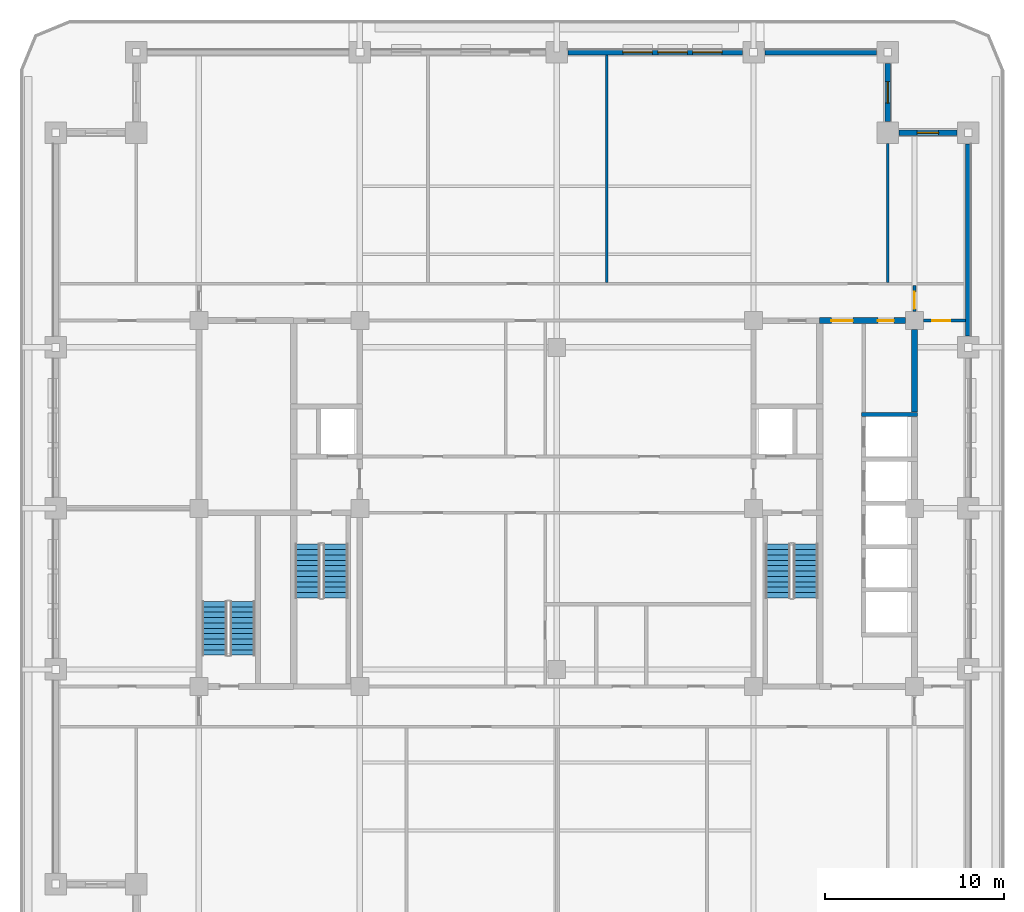
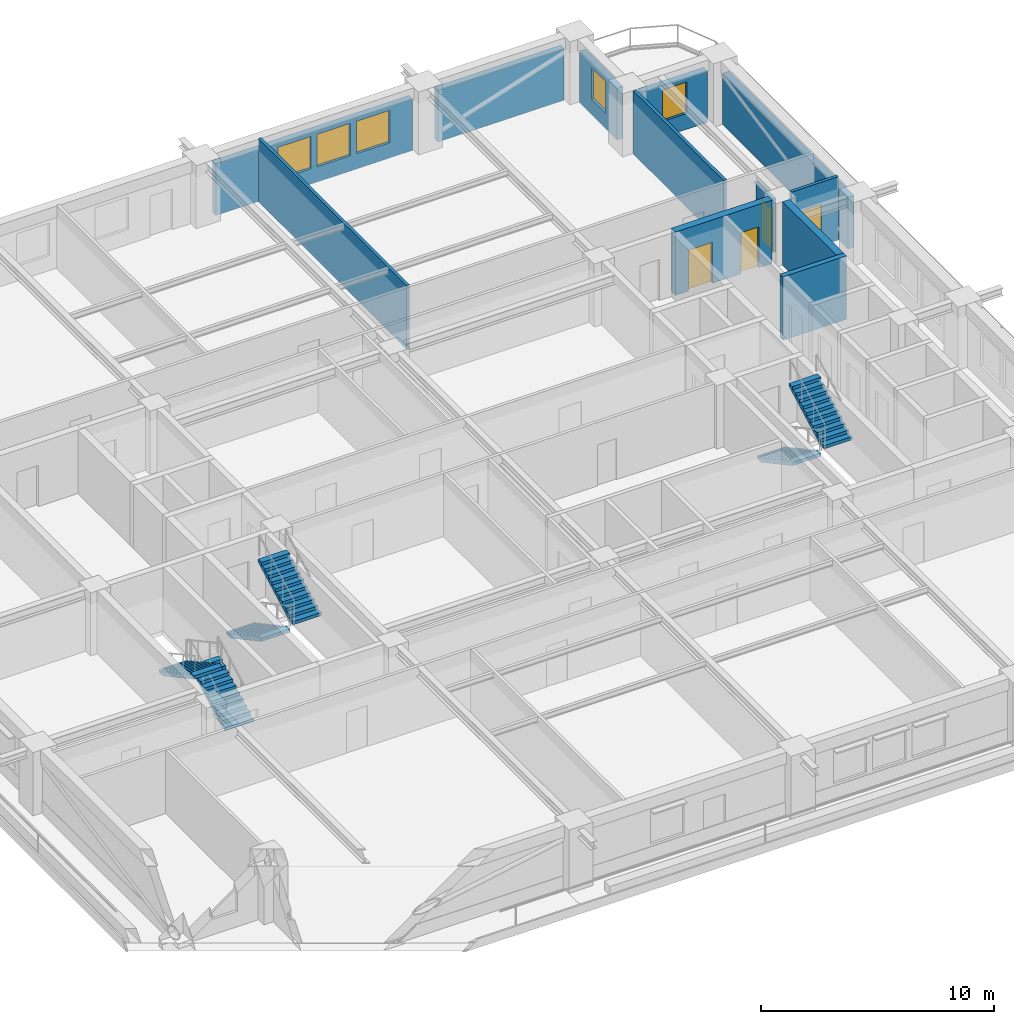
# One storey, part 6 of 14: 12 walls, 6 stair flights, 5 windows, 4 doors, 9 openings, 3 elements without a shape of their own.
"""IFC4 building model written with IfcOpenShell, lengths in metres."""

from ifc_helpers import new_model, si_unit, direction, frame, frame_2d, origin, place, context, subcontext, project, spatial, polyline, rectangle, outline, extrude, material, layer, layer_set, type_object, element, fill, aggregate, save


model = new_model("IFC4")

# Units and contexts
model_context = context("Model", 3, precision=1e-05, world=origin(), true_north=direction((0.0, 1.0)))
body_context = subcontext(model_context, "Body", "Model", "MODEL_VIEW")
ifc_project = project(units=[si_unit("LENGTHUNIT", "METRE"), si_unit("AREAUNIT", "SQUARE_METRE"), si_unit("VOLUMEUNIT", "CUBIC_METRE"), si_unit("PLANEANGLEUNIT", "RADIAN"), si_unit("MASSUNIT", "GRAM", prefix="KILO")], contexts=[model_context])

# Site, building, storey
site_placement = place(None, origin())
site = spatial("IfcSite", under=ifc_project, at=site_placement, CompositionType="ELEMENT")
building_placement = place(site_placement, origin())
building = spatial("IfcBuilding", under=site, at=building_placement, Name="Zulmaris Gate Convention Tower", CompositionType="ELEMENT")
storey_placement = place(building_placement, frame((0.0, 0.0, 135.6298828125)))
storey = spatial("IfcBuildingStorey", under=building, at=storey_placement, Name="L34", CompositionType="ELEMENT", Elevation=135.6298828125)

# Wall
ifc_material_1 = material(Name="Concrete C50/60", Category="concrete")
ifc_layer_1 = layer(ifc_material_1, 0.25, Name="Concrete C50/60")
ifc_layer_set_1 = layer_set([ifc_layer_1], Name="Concrete C50/60")
wall_type_1 = type_object("IfcWallType", Name="CORE-250", PredefinedType="SOLIDWALL", material=ifc_layer_set_1)
wall_1_placement = place(storey_placement, frame((17.02490234375, 5.25, 0.0), z_axis=(0.0, 0.0, 1.0), x_axis=(1.0, 0.0, 0.0)))
element("IfcWall", 1, at=wall_1_placement, inside=storey, type_object=wall_type_1, Name="WL-L34-014", PredefinedType="SOLIDWALL", context=body_context, shape_type="SweptSolid", body=[
    extrude(rectangle(XDim=3.150146484375, YDim=0.25, at=frame_2d((1.5751953125, 0.0))), origin(), (0.0, 0.0, 1.0), 3.320068359375),
])

# Wall, openings, doors
ifc_material_2 = material(Name="Concrete C55/67", Category="concrete")
ifc_layer_2 = layer(ifc_material_2, 0.35009765625, Name="Concrete C55/67")
ifc_layer_set_2 = layer_set([ifc_layer_2], Name="Concrete C55/67")
wall_type_2 = type_object("IfcWallType", Name="CORE-350", PredefinedType="SHEAR", material=ifc_layer_set_2)
wall_2_placement = place(storey_placement, frame((14.699951171875, 10.5, 0.0), z_axis=(0.0, 0.0, 1.0), x_axis=(1.0, 0.0, 0.0)))
wall_2 = element("IfcWall", 2, at=wall_2_placement, inside=storey, type_object=wall_type_2, Name="WL-L34-020", PredefinedType="SHEAR", context=body_context, shape_type="SweptSolid", body=[
    extrude(rectangle(XDim=4.796142578125, YDim=0.35009765625, at=frame_2d((2.39794921875, 0.0))), origin(), (0.0, 0.0, 1.0), 3.320068359375),
])
opening_1_placement = place(wall_2_placement, frame((0.64990234375, 0.0, 0.0)))
opening_1 = element("IfcOpeningElement", 3, at=opening_1_placement, cuts=wall_2, Name="Opening D-13", PredefinedType="OPENING", context=body_context, shape_type="SweptSolid", body=[
    extrude(rectangle(XDim=1.199951171875, YDim=2.14990234375, at=frame_2d((0.60009765625, 1.074951171875))), frame((0.0, 0.18505859375, 0.0), z_axis=(0.0, -1.0, 0.0), x_axis=(1.0, 0.0, 0.0)), (0.0, 0.0, 1.0), 0.3701171875),
])
opening_2_placement = place(wall_2_placement, frame((3.25, 0.0, 0.0)))
opening_2 = element("IfcOpeningElement", 4, at=opening_2_placement, cuts=wall_2, Name="Opening D-12", PredefinedType="OPENING", context=body_context, shape_type="SweptSolid", body=[
    extrude(rectangle(XDim=0.89990234375, YDim=2.14990234375, at=frame_2d((0.449951171875, 1.074951171875))), frame((0.0, 0.18505859375, 0.0), z_axis=(0.0, -1.0, 0.0), x_axis=(1.0, 0.0, 0.0)), (0.0, 0.0, 1.0), 0.3701171875),
])
ifc_material_3 = material(Name="Fire-Rated Steel", Category="steel")
door_type_1 = type_object("IfcDoorType", Name="DR-1200-FD", OperationType="NOTDEFINED", PredefinedType="DOOR", material=ifc_material_3)
door_1_placement = place(opening_1_placement, origin())
door_1 = element("IfcDoor", 5, at=door_1_placement, inside=storey, type_object=door_type_1, Name="L34 East Lift Lobby North Door 16", OperationType="SINGLE_SWING_LEFT", OverallHeight=2.14990234375, OverallWidth=1.199951171875, PredefinedType="DOOR", context=body_context, shape_type="SweptSolid", body=[
    extrude(rectangle(XDim=1.199951171875, YDim=2.14990234375, at=frame_2d((0.60009765625, 1.074951171875))), frame((0.0, 0.02490234375, 0.0), z_axis=(0.0, -1.0, 0.0), x_axis=(1.0, 0.0, 0.0)), (0.0, 0.0, 1.0), 0.050048828125),
])
fill(opening_1, door_1)
ifc_material_4 = material(Name="Fire-Rated Timber", Category="wood")
door_type_2 = type_object("IfcDoorType", Name="DR-900-FD", OperationType="NOTDEFINED", PredefinedType="DOOR", material=ifc_material_4)
door_2_placement = place(opening_2_placement, origin())
door_2 = element("IfcDoor", 6, at=door_2_placement, inside=storey, type_object=door_type_2, Name="L34 Mid-Rise Archive Door 17", OperationType="SINGLE_SWING_RIGHT", OverallHeight=2.14990234375, OverallWidth=0.89990234375, PredefinedType="DOOR", context=body_context, shape_type="SweptSolid", body=[
    extrude(rectangle(XDim=0.89990234375, YDim=2.14990234375, at=frame_2d((0.449951171875, 1.074951171875))), frame((0.0, 0.02490234375, 0.0), z_axis=(0.0, -1.0, 0.0), x_axis=(1.0, 0.0, 0.0)), (0.0, 0.0, 1.0), 0.050048828125),
])
fill(opening_2, door_2)

# Wall
wall_3_placement = place(storey_placement, frame((20.0, 5.376953125, 0.0), z_axis=(0.0, 0.0, 1.0), x_axis=(0.0, 1.0, 0.0)))
element("IfcWall", 7, at=wall_3_placement, inside=storey, type_object=wall_type_2, Name="WL-L34-067", PredefinedType="SHEAR", context=body_context, shape_type="SweptSolid", body=[
    extrude(rectangle(XDim=4.619140625, YDim=0.35009765625, at=frame_2d((2.3095703125, 0.0))), origin(), (0.0, 0.0, 1.0), 3.320068359375),
])

# Wall, opening, door
ifc_material_5 = material(Name="Gypsum Metal Stud Partition")
ifc_layer_3 = layer(ifc_material_5, 0.14990234375, Name="Gypsum Metal Stud Partition")
ifc_layer_set_3 = layer_set([ifc_layer_3], Name="Gypsum Metal Stud Partition")
wall_type_3 = type_object("IfcWallType", Name="PART-150", PredefinedType="PARTITIONING", material=ifc_layer_set_3)
wall_4_placement = place(storey_placement, frame((20.506103515625, 10.5, 0.0), z_axis=(0.0, 0.0, 1.0), x_axis=(1.0, 0.0, 0.0)))
wall_4 = element("IfcWall", 8, at=wall_4_placement, inside=storey, type_object=wall_type_3, Name="WL-L34-031", PredefinedType="PARTITIONING", context=body_context, shape_type="SweptSolid", body=[
    extrude(rectangle(XDim=2.328857421875, YDim=0.14990234375, at=frame_2d((1.16455078125, 0.0))), origin(), (0.0, 0.0, 1.0), 3.320068359375),
])
opening_3_placement = place(wall_4_placement, frame((0.493896484375, 0.0, 0.0)))
opening_3 = element("IfcOpeningElement", 9, at=opening_3_placement, cuts=wall_4, Name="Opening D-10", PredefinedType="OPENING", context=body_context, shape_type="SweptSolid", body=[
    extrude(rectangle(XDim=1.0, YDim=2.14990234375, at=frame_2d((0.5, 1.074951171875))), frame((0.0, 0.0849609375, 0.0), z_axis=(0.0, -1.0, 0.0), x_axis=(1.0, 0.0, 0.0)), (0.0, 0.0, 1.0), 0.169921875),
])
door_type_3 = type_object("IfcDoorType", Name="DR-1000-FD", OperationType="NOTDEFINED", PredefinedType="DOOR", material=ifc_material_4)
door_3_placement = place(opening_3_placement, origin())
door_3 = element("IfcDoor", 10, at=door_3_placement, inside=storey, type_object=door_type_3, Name="L34 East Workplace North Door 42", OperationType="SINGLE_SWING_LEFT", OverallHeight=2.14990234375, OverallWidth=1.0, PredefinedType="DOOR", context=body_context, shape_type="SweptSolid", body=[
    extrude(rectangle(XDim=1.0, YDim=2.14990234375, at=frame_2d((0.5, 1.074951171875))), frame((0.0, 0.02490234375, 0.0), z_axis=(0.0, -1.0, 0.0), x_axis=(1.0, 0.0, 0.0)), (0.0, 0.0, 1.0), 0.050048828125),
])
fill(opening_3, door_3)

# Walls
wall_5_placement = place(storey_placement, frame((2.800048828125, 12.6279296875, 0.0), z_axis=(0.0, 0.0, 1.0), x_axis=(0.0, 1.0, 0.0)))
element("IfcWall", 11, at=wall_5_placement, inside=storey, type_object=wall_type_3, Name="WL-L34-081", PredefinedType="PARTITIONING", context=body_context, shape_type="SweptSolid", body=[
    extrude(rectangle(XDim=12.70703125, YDim=0.14990234375, at=frame_2d((6.353515625, 0.0))), origin(), (0.0, 0.0, 1.0), 3.320068359375),
])
wall_6_placement = place(storey_placement, frame((18.5, 12.6279296875, 0.0), z_axis=(0.0, 0.0, 1.0), x_axis=(0.0, 1.0, 0.0)))
element("IfcWall", 12, at=wall_6_placement, inside=storey, type_object=wall_type_3, Name="WL-L34-086", PredefinedType="PARTITIONING", context=body_context, shape_type="SweptSolid", body=[
    extrude(rectangle(XDim=7.76611328125, YDim=0.14990234375, at=frame_2d((3.883056640625, 0.0))), origin(), (0.0, 0.0, 1.0), 3.320068359375),
])

# Wall, opening, door
wall_7_placement = place(storey_placement, frame((20.0, 11.006103515625, 0.0), z_axis=(0.0, 0.0, 1.0), x_axis=(0.0, 1.0, 0.0)))
wall_7 = element("IfcWall", 13, at=wall_7_placement, inside=storey, type_object=wall_type_3, Name="WL-L34-088", PredefinedType="PARTITIONING", context=body_context, shape_type="SweptSolid", body=[
    extrude(rectangle(XDim=1.4658203125, YDim=0.14990234375, at=frame_2d((0.73291015625, 0.0))), origin(), (0.0, 0.0, 1.0), 2.81005859375),
])
opening_4_placement = place(wall_7_placement, frame((0.14990234375, 0.0, 0.0)))
opening_4 = element("IfcOpeningElement", 14, at=opening_4_placement, cuts=wall_7, Name="Opening D-11", PredefinedType="OPENING", context=body_context, shape_type="SweptSolid", body=[
    extrude(rectangle(XDim=0.949951171875, YDim=2.14990234375, at=frame_2d((0.47509765625, 1.074951171875))), frame((0.0, 0.0849609375, 0.0), z_axis=(0.0, -1.0, 0.0), x_axis=(1.0, 0.0, 0.0)), (0.0, 0.0, 1.0), 0.169921875),
])
door_type_4 = type_object("IfcDoorType", Name="DR-950-FD", OperationType="NOTDEFINED", PredefinedType="DOOR", material=ifc_material_4)
door_4_placement = place(opening_4_placement, origin())
door_4 = element("IfcDoor", 15, at=door_4_placement, inside=storey, type_object=door_type_4, Name="L34 NE Spur Door 40", OperationType="SINGLE_SWING_LEFT", OverallHeight=2.14990234375, OverallWidth=0.949951171875, PredefinedType="DOOR", context=body_context, shape_type="SweptSolid", body=[
    extrude(rectangle(XDim=0.949951171875, YDim=2.14990234375, at=frame_2d((0.47509765625, 1.074951171875))), frame((0.0, 0.02490234375, 0.0), z_axis=(0.0, -1.0, 0.0), x_axis=(1.0, 0.0, 0.0)), (0.0, 0.0, 1.0), 0.050048828125),
])
fill(opening_4, door_4)

# Wall, opening, window
ifc_material_6 = material(Name="Precast concrete C40/50", Category="concrete")
ifc_layer_4 = layer(ifc_material_6, 0.300048828125, Name="Precast concrete C40/50")
ifc_layer_set_4 = layer_set([ifc_layer_4], Name="Precast concrete C40/50")
wall_type_4 = type_object("IfcWallType", Name="PRECAST-PIER-300", PredefinedType="STANDARD", material=ifc_layer_set_4)
wall_8_placement = place(storey_placement, frame((22.3701171875, 21.0, 0.0), z_axis=(0.0, 0.0, 1.0), x_axis=(-1.0, 0.0, 0.0)))
wall_8 = element("IfcWall", 16, at=wall_8_placement, inside=storey, type_object=wall_type_4, Name="EW-L34-NOTCH-NE1_0", PredefinedType="STANDARD", context=body_context, shape_type="SweptSolid", body=[
    extrude(rectangle(XDim=3.240234375, YDim=0.300048828125, at=frame_2d((1.6201171875, 0.0))), origin(), (0.0, 0.0, 1.0), 2.712158203125),
])
opening_5_placement = place(wall_8_placement, frame((1.02001953125, 0.0, 0.820068359375)))
opening_5 = element("IfcOpeningElement", 17, at=opening_5_placement, cuts=wall_8, Name="Opening W-04", PredefinedType="OPENING", context=body_context, shape_type="SweptSolid", body=[
    extrude(rectangle(XDim=1.199951171875, YDim=1.64990234375, at=frame_2d((0.60009765625, 0.824951171875))), frame((0.0, 0.16015625, 0.0), z_axis=(0.0, -1.0, 0.0), x_axis=(1.0, 0.0, 0.0)), (0.0, 0.0, 1.0), 0.320068359375),
])
ifc_material_7 = material(Name="Low-E Laminated Double Glazing in Aluminium Frame", Category="aluminium")
window_type_1 = type_object("IfcWindowType", Name="WIN-1200x2100", PartitioningType="SINGLE_PANEL", PredefinedType="WINDOW", material=ifc_material_7)
window_1_placement = place(opening_5_placement, origin())
window_1 = element("IfcWindow", 18, at=window_1_placement, inside=storey, type_object=window_type_1, Name="WN-EW-L34-NOTCH-NE1_0", OverallHeight=1.64990234375, OverallWidth=1.199951171875, PartitioningType="SINGLE_PANEL", PredefinedType="WINDOW", context=body_context, shape_type="SweptSolid", body=[
    extrude(rectangle(XDim=1.199951171875, YDim=1.64990234375, at=frame_2d((0.60009765625, 0.824951171875))), frame((0.0, 0.030029296875, 0.0), z_axis=(0.0, -1.0, 0.0), x_axis=(1.0, 0.0, 0.0)), (0.0, 0.0, 1.0), 0.06005859375),
])
fill(opening_5, window_1)

wall_9_placement = place(storey_placement, frame((18.5, 21.6298828125, 0.0), z_axis=(0.0, 0.0, 1.0), x_axis=(0.0, 1.0, 0.0)))
wall_9 = element("IfcWall", 19, at=wall_9_placement, inside=storey, type_object=wall_type_4, Name="EW-L34-NOTCH-NE2_0", PredefinedType="STANDARD", context=body_context, shape_type="SweptSolid", body=[
    extrude(rectangle(XDim=3.240234375, YDim=0.300048828125, at=frame_2d((1.6201171875, 0.0))), origin(), (0.0, 0.0, 1.0), 2.712158203125),
])
opening_6_placement = place(wall_9_placement, frame((1.02001953125, 0.0, 0.820068359375)))
opening_6 = element("IfcOpeningElement", 20, at=opening_6_placement, cuts=wall_9, Name="Opening W-04", PredefinedType="OPENING", context=body_context, shape_type="SweptSolid", body=[
    extrude(rectangle(XDim=1.199951171875, YDim=1.64990234375, at=frame_2d((0.60009765625, 0.824951171875))), frame((0.0, 0.16015625, 0.0), z_axis=(0.0, -1.0, 0.0), x_axis=(1.0, 0.0, 0.0)), (0.0, 0.0, 1.0), 0.320068359375),
])
window_2_placement = place(opening_6_placement, origin())
window_2 = element("IfcWindow", 21, at=window_2_placement, inside=storey, type_object=window_type_1, Name="WN-EW-L34-NOTCH-NE2_0", OverallHeight=1.64990234375, OverallWidth=1.199951171875, PartitioningType="SINGLE_PANEL", PredefinedType="WINDOW", context=body_context, shape_type="SweptSolid", body=[
    extrude(rectangle(XDim=1.199951171875, YDim=1.64990234375, at=frame_2d((0.60009765625, 0.824951171875))), frame((0.0, 0.030029296875, 0.0), z_axis=(0.0, -1.0, 0.0), x_axis=(1.0, 0.0, 0.0)), (0.0, 0.0, 1.0), 0.06005859375),
])
fill(opening_6, window_2)

# Wall, openings, windows
wall_10_placement = place(storey_placement, frame((10.3701171875, 25.5, 0.0), z_axis=(0.0, 0.0, 1.0), x_axis=(-1.0, 0.0, 0.0)))
wall_10 = element("IfcWall", 22, at=wall_10_placement, inside=storey, type_object=wall_type_4, Name="EW-L34-N-2_0", PredefinedType="STANDARD", context=body_context, shape_type="SweptSolid", body=[
    extrude(rectangle(XDim=9.740234375, YDim=0.300048828125, at=frame_2d((4.8701171875, 0.0))), origin(), (0.0, 0.0, 1.0), 2.712158203125),
])
opening_7_placement = place(wall_10_placement, frame((1.123046875, 0.0, 0.800048828125)))
opening_7 = element("IfcOpeningElement", 23, at=opening_7_placement, cuts=wall_10, Name="Opening W-08", PredefinedType="OPENING", context=body_context, shape_type="SweptSolid", body=[
    extrude(rectangle(XDim=1.64990234375, YDim=1.699951171875, at=frame_2d((0.824951171875, 0.85009765625))), frame((0.0, 0.16015625, 0.0), z_axis=(0.0, -1.0, 0.0), x_axis=(1.0, 0.0, 0.0)), (0.0, 0.0, 1.0), 0.320068359375),
])
opening_8_placement = place(wall_10_placement, frame((3.071044921875, 0.0, 0.800048828125)))
opening_8 = element("IfcOpeningElement", 24, at=opening_8_placement, cuts=wall_10, Name="Opening W-08", PredefinedType="OPENING", context=body_context, shape_type="SweptSolid", body=[
    extrude(rectangle(XDim=1.64990234375, YDim=1.699951171875, at=frame_2d((0.824951171875, 0.85009765625))), frame((0.0, 0.16015625, 0.0), z_axis=(0.0, -1.0, 0.0), x_axis=(1.0, 0.0, 0.0)), (0.0, 0.0, 1.0), 0.320068359375),
])
opening_9_placement = place(wall_10_placement, frame((5.01904296875, 0.0, 0.800048828125)))
opening_9 = element("IfcOpeningElement", 25, at=opening_9_placement, cuts=wall_10, Name="Opening W-08", PredefinedType="OPENING", context=body_context, shape_type="SweptSolid", body=[
    extrude(rectangle(XDim=1.64990234375, YDim=1.699951171875, at=frame_2d((0.824951171875, 0.85009765625))), frame((0.0, 0.16015625, 0.0), z_axis=(0.0, -1.0, 0.0), x_axis=(1.0, 0.0, 0.0)), (0.0, 0.0, 1.0), 0.320068359375),
])
window_type_2 = type_object("IfcWindowType", Name="WIN-1650x2150", PartitioningType="SINGLE_PANEL", PredefinedType="WINDOW", material=ifc_material_7)
window_3_placement = place(opening_7_placement, origin())
window_3 = element("IfcWindow", 26, at=window_3_placement, inside=storey, type_object=window_type_2, Name="WN-EW-L34-N-2_0-1", OverallHeight=1.699951171875, OverallWidth=1.64990234375, PartitioningType="SINGLE_PANEL", PredefinedType="WINDOW", context=body_context, shape_type="SweptSolid", body=[
    extrude(rectangle(XDim=1.64990234375, YDim=1.699951171875, at=frame_2d((0.824951171875, 0.85009765625))), frame((0.0, 0.030029296875, 0.0), z_axis=(0.0, -1.0, 0.0), x_axis=(1.0, 0.0, 0.0)), (0.0, 0.0, 1.0), 0.06005859375),
])
fill(opening_7, window_3)
window_4_placement = place(opening_8_placement, origin())
window_4 = element("IfcWindow", 27, at=window_4_placement, inside=storey, type_object=window_type_2, Name="WN-EW-L34-N-2_0-2", OverallHeight=1.699951171875, OverallWidth=1.64990234375, PartitioningType="SINGLE_PANEL", PredefinedType="WINDOW", context=body_context, shape_type="SweptSolid", body=[
    extrude(rectangle(XDim=1.64990234375, YDim=1.699951171875, at=frame_2d((0.824951171875, 0.85009765625))), frame((0.0, 0.030029296875, 0.0), z_axis=(0.0, -1.0, 0.0), x_axis=(1.0, 0.0, 0.0)), (0.0, 0.0, 1.0), 0.06005859375),
])
fill(opening_8, window_4)
window_5_placement = place(opening_9_placement, origin())
window_5 = element("IfcWindow", 28, at=window_5_placement, inside=storey, type_object=window_type_2, Name="WN-EW-L34-N-2_0-3", OverallHeight=1.699951171875, OverallWidth=1.64990234375, PartitioningType="SINGLE_PANEL", PredefinedType="WINDOW", context=body_context, shape_type="SweptSolid", body=[
    extrude(rectangle(XDim=1.64990234375, YDim=1.699951171875, at=frame_2d((0.824951171875, 0.85009765625))), frame((0.0, 0.030029296875, 0.0), z_axis=(0.0, -1.0, 0.0), x_axis=(1.0, 0.0, 0.0)), (0.0, 0.0, 1.0), 0.06005859375),
])
fill(opening_9, window_5)

# Walls
wall_11_placement = place(storey_placement, frame((17.8701171875, 25.5, 0.0), z_axis=(0.0, 0.0, 1.0), x_axis=(-1.0, 0.0, 0.0)))
element("IfcWall", 29, at=wall_11_placement, inside=storey, type_object=wall_type_4, Name="EW-L34-N-3_0", PredefinedType="STANDARD", context=body_context, shape_type="SweptSolid", body=[
    extrude(rectangle(XDim=6.240234375, YDim=0.300048828125, at=frame_2d((3.1201171875, 0.0))), origin(), (0.0, 0.0, 1.0), 2.712158203125),
])
wall_12_placement = place(storey_placement, frame((23.0, 9.6298828125, 0.0), z_axis=(0.0, 0.0, 1.0), x_axis=(0.0, 1.0, 0.0)))
element("IfcWall", 30, at=wall_12_placement, inside=storey, type_object=wall_type_4, Name="EW-L34-E-3_0", PredefinedType="STANDARD", context=body_context, shape_type="SweptSolid", body=[
    extrude(rectangle(XDim=10.740234375, YDim=0.300048828125, at=frame_2d((5.3701171875, 0.0))), origin(), (0.0, 0.0, 1.0), 2.712158203125),
])

# Stair, stair flights
ifc_material_8 = material(Name="Concrete C45/55", Category="concrete")
stair_type = type_object("IfcStairType", Name="ST-CORE-DOGLEG", PredefinedType="HALF_TURN_STAIR", material=ifc_material_8)
stair_1_placement = place(storey_placement, origin())
stair_1 = element("IfcStair", 31, at=stair_1_placement, inside=storey, type_object=stair_type, Name="L34 Core Exit Stair ST-1", PredefinedType="HALF_TURN_STAIR")
ifc_layer_5 = layer(ifc_material_8, 0.14990234375, Name="Concrete C45/55")
ifc_layer_set_5 = layer_set([ifc_layer_5], Name="Concrete C45/55")
stair_flight_type = type_object("IfcStairFlightType", Name="STF-RC150", PredefinedType="STRAIGHT", material=ifc_layer_set_5)
stair_flight_1_placement = place(storey_placement, frame((-13.919921875, -2.0, 0.0), z_axis=(0.0, 0.0, 1.0), x_axis=(0.0, -1.0, 0.0)))
stair_flight_1 = element("IfcStairFlight", 32, at=stair_flight_1_placement, type_object=stair_flight_type, Name="ST-1 flight 1", NumberOfRisers=11, NumberOfTreads=10, PredefinedType="STRAIGHT", RiserHeight=0.162277273, TreadLength=0.3, context=body_context, shape_type="SweptSolid", body=[
    extrude(outline(polyline([(0.0, 0.0), (0.0, 0.162353515625), (0.300048828125, 0.162353515625), (0.300048828125, 0.324462890625), (0.60009765625, 0.324462890625), (0.60009765625, 0.48681640625), (0.89990234375, 0.48681640625), (0.89990234375, 0.649169921875), (1.199951171875, 0.649169921875), (1.199951171875, 0.811279296875), (1.5, 0.811279296875), (1.5, 0.9736328125), (1.800048828125, 0.9736328125), (1.800048828125, 1.135986328125), (2.10009765625, 1.135986328125), (2.10009765625, 1.29833984375), (2.39990234375, 1.29833984375), (2.39990234375, 1.46044921875), (2.699951171875, 1.46044921875), (2.699951171875, 1.622802734375), (3.0, 1.622802734375), (3.0, 1.78515625), (3.0, 1.452392578125), (0.315185546875, 0.0), (0.0, 0.0)])), frame((0.0, 0.699951171875, 0.0), z_axis=(0.0, -1.0, 0.0), x_axis=(1.0, 0.0, 0.0)), (0.0, 0.0, 1.0), 1.39990234375),
])
stair_flight_2_placement = place(storey_placement, frame((-12.360107421875, -5.0, 1.78515625), z_axis=(0.0, 0.0, 1.0), x_axis=(0.0, 1.0, 0.0)))
stair_flight_2 = element("IfcStairFlight", 33, at=stair_flight_2_placement, type_object=stair_flight_type, Name="ST-1 flight 2", NumberOfRisers=11, NumberOfTreads=10, PredefinedType="STRAIGHT", RiserHeight=0.162277273, TreadLength=0.3, context=body_context, shape_type="SweptSolid", body=[
    extrude(outline(polyline([(0.0, 0.0), (0.0, 0.162353515625), (0.300048828125, 0.162353515625), (0.300048828125, 0.324462890625), (0.60009765625, 0.324462890625), (0.60009765625, 0.48681640625), (0.89990234375, 0.48681640625), (0.89990234375, 0.649169921875), (1.199951171875, 0.649169921875), (1.199951171875, 0.811279296875), (1.5, 0.811279296875), (1.5, 0.9736328125), (1.800048828125, 0.9736328125), (1.800048828125, 1.135986328125), (2.10009765625, 1.135986328125), (2.10009765625, 1.29833984375), (2.39990234375, 1.29833984375), (2.39990234375, 1.46044921875), (2.699951171875, 1.46044921875), (2.699951171875, 1.622802734375), (3.0, 1.622802734375), (3.0, 1.78515625), (3.0, 1.452392578125), (0.315185546875, 0.0), (0.0, 0.0)])), frame((0.0, 0.699951171875, 0.0), z_axis=(0.0, -1.0, 0.0), x_axis=(1.0, 0.0, 0.0)), (0.0, 0.0, 1.0), 1.39990234375),
])
aggregate(stair_1, [stair_flight_1, stair_flight_2])

stair_2_placement = place(storey_placement, origin())
stair_2 = element("IfcStair", 34, at=stair_2_placement, inside=storey, type_object=stair_type, Name="L34 Core Exit Stair ST-2", PredefinedType="HALF_TURN_STAIR")
stair_flight_3_placement = place(storey_placement, frame((12.360107421875, -2.0, 0.0), z_axis=(0.0, 0.0, 1.0), x_axis=(0.0, -1.0, 0.0)))
stair_flight_3 = element("IfcStairFlight", 35, at=stair_flight_3_placement, type_object=stair_flight_type, Name="ST-2 flight 1", NumberOfRisers=11, NumberOfTreads=10, PredefinedType="STRAIGHT", RiserHeight=0.162277273, TreadLength=0.3, context=body_context, shape_type="SweptSolid", body=[
    extrude(outline(polyline([(0.0, 0.0), (0.0, 0.162353515625), (0.300048828125, 0.162353515625), (0.300048828125, 0.324462890625), (0.60009765625, 0.324462890625), (0.60009765625, 0.48681640625), (0.89990234375, 0.48681640625), (0.89990234375, 0.649169921875), (1.199951171875, 0.649169921875), (1.199951171875, 0.811279296875), (1.5, 0.811279296875), (1.5, 0.9736328125), (1.800048828125, 0.9736328125), (1.800048828125, 1.135986328125), (2.10009765625, 1.135986328125), (2.10009765625, 1.29833984375), (2.39990234375, 1.29833984375), (2.39990234375, 1.46044921875), (2.699951171875, 1.46044921875), (2.699951171875, 1.622802734375), (3.0, 1.622802734375), (3.0, 1.78515625), (3.0, 1.452392578125), (0.315185546875, 0.0), (0.0, 0.0)])), frame((0.0, 0.699951171875, 0.0), z_axis=(0.0, -1.0, 0.0), x_axis=(1.0, 0.0, 0.0)), (0.0, 0.0, 1.0), 1.39990234375),
])
stair_flight_4_placement = place(storey_placement, frame((13.919921875, -5.0, 1.78515625), z_axis=(0.0, 0.0, 1.0), x_axis=(0.0, 1.0, 0.0)))
stair_flight_4 = element("IfcStairFlight", 36, at=stair_flight_4_placement, type_object=stair_flight_type, Name="ST-2 flight 2", NumberOfRisers=11, NumberOfTreads=10, PredefinedType="STRAIGHT", RiserHeight=0.162277273, TreadLength=0.3, context=body_context, shape_type="SweptSolid", body=[
    extrude(outline(polyline([(0.0, 0.0), (0.0, 0.162353515625), (0.300048828125, 0.162353515625), (0.300048828125, 0.324462890625), (0.60009765625, 0.324462890625), (0.60009765625, 0.48681640625), (0.89990234375, 0.48681640625), (0.89990234375, 0.649169921875), (1.199951171875, 0.649169921875), (1.199951171875, 0.811279296875), (1.5, 0.811279296875), (1.5, 0.9736328125), (1.800048828125, 0.9736328125), (1.800048828125, 1.135986328125), (2.10009765625, 1.135986328125), (2.10009765625, 1.29833984375), (2.39990234375, 1.29833984375), (2.39990234375, 1.46044921875), (2.699951171875, 1.46044921875), (2.699951171875, 1.622802734375), (3.0, 1.622802734375), (3.0, 1.78515625), (3.0, 1.452392578125), (0.315185546875, 0.0), (0.0, 0.0)])), frame((0.0, 0.699951171875, 0.0), z_axis=(0.0, -1.0, 0.0), x_axis=(1.0, 0.0, 0.0)), (0.0, 0.0, 1.0), 1.39990234375),
])
aggregate(stair_2, [stair_flight_3, stair_flight_4])

stair_3_placement = place(storey_placement, origin())
stair_3 = element("IfcStair", 37, at=stair_3_placement, inside=storey, type_object=stair_type, Name="L34 Core Exit Stair ST-3", PredefinedType="HALF_TURN_STAIR")
stair_flight_5_placement = place(storey_placement, frame((-17.56005859375, -8.199951171875, 0.0), z_axis=(0.0, 0.0, 1.0), x_axis=(0.0, 1.0, 0.0)))
stair_flight_5 = element("IfcStairFlight", 38, at=stair_flight_5_placement, type_object=stair_flight_type, Name="ST-3 flight 1", NumberOfRisers=11, NumberOfTreads=10, PredefinedType="STRAIGHT", RiserHeight=0.162277273, TreadLength=0.3, context=body_context, shape_type="SweptSolid", body=[
    extrude(outline(polyline([(0.0, 0.0), (0.0, 0.162353515625), (0.300048828125, 0.162353515625), (0.300048828125, 0.324462890625), (0.60009765625, 0.324462890625), (0.60009765625, 0.48681640625), (0.89990234375, 0.48681640625), (0.89990234375, 0.649169921875), (1.199951171875, 0.649169921875), (1.199951171875, 0.811279296875), (1.5, 0.811279296875), (1.5, 0.9736328125), (1.800048828125, 0.9736328125), (1.800048828125, 1.135986328125), (2.10009765625, 1.135986328125), (2.10009765625, 1.29833984375), (2.39990234375, 1.29833984375), (2.39990234375, 1.46044921875), (2.699951171875, 1.46044921875), (2.699951171875, 1.622802734375), (3.0, 1.622802734375), (3.0, 1.78515625), (3.0, 1.452392578125), (0.315185546875, 0.0), (0.0, 0.0)])), frame((0.0, 0.699951171875, 0.0), z_axis=(0.0, -1.0, 0.0), x_axis=(1.0, 0.0, 0.0)), (0.0, 0.0, 1.0), 1.39990234375),
])
stair_flight_6_placement = place(storey_placement, frame((-19.1201171875, -5.199951171875, 1.78515625), z_axis=(0.0, 0.0, 1.0), x_axis=(0.0, -1.0, 0.0)))
stair_flight_6 = element("IfcStairFlight", 39, at=stair_flight_6_placement, type_object=stair_flight_type, Name="ST-3 flight 2", NumberOfRisers=11, NumberOfTreads=10, PredefinedType="STRAIGHT", RiserHeight=0.162277273, TreadLength=0.3, context=body_context, shape_type="SweptSolid", body=[
    extrude(outline(polyline([(0.0, 0.0), (0.0, 0.162353515625), (0.300048828125, 0.162353515625), (0.300048828125, 0.324462890625), (0.60009765625, 0.324462890625), (0.60009765625, 0.48681640625), (0.89990234375, 0.48681640625), (0.89990234375, 0.649169921875), (1.199951171875, 0.649169921875), (1.199951171875, 0.811279296875), (1.5, 0.811279296875), (1.5, 0.9736328125), (1.800048828125, 0.9736328125), (1.800048828125, 1.135986328125), (2.10009765625, 1.135986328125), (2.10009765625, 1.29833984375), (2.39990234375, 1.29833984375), (2.39990234375, 1.46044921875), (2.699951171875, 1.46044921875), (2.699951171875, 1.622802734375), (3.0, 1.622802734375), (3.0, 1.78515625), (3.0, 1.452392578125), (0.315185546875, 0.0), (0.0, 0.0)])), frame((0.0, 0.699951171875, 0.0), z_axis=(0.0, -1.0, 0.0), x_axis=(1.0, 0.0, 0.0)), (0.0, 0.0, 1.0), 1.39990234375),
])
aggregate(stair_3, [stair_flight_5, stair_flight_6])

save(model, "model.ifc")
